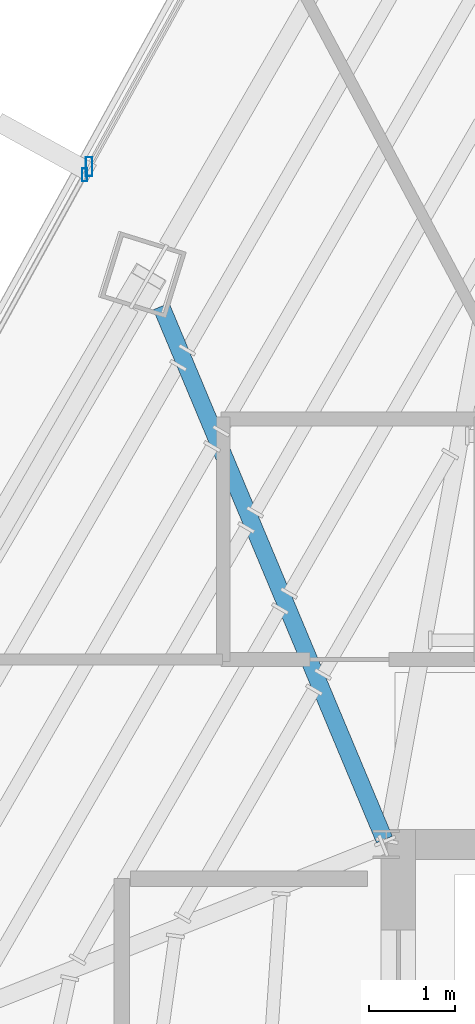
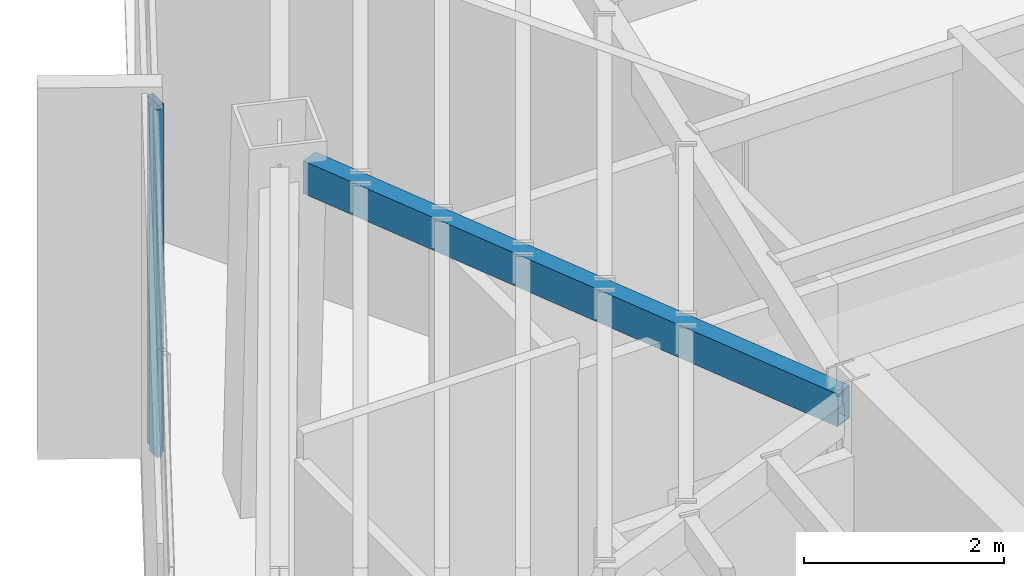
# One storey, part 15 of 37: 2 members, 1 beam, 2 elements without a shape of their own.
"""IFC4 building model written with IfcOpenShell, lengths in metres."""

from ifc_helpers import new_model, si_unit, direction, frame, origin, origin_2d, place, context, subcontext, project, spatial, hollow_rectangle, extrude, source, transform, mapped, material, material_profile, profile_set, type_object, type_shapes, element, aggregate, save


model = new_model("IFC4")

# Units and contexts
model_context = context("Model", 3, precision=1e-05, world=origin(), true_north=direction((0.0, 1.0)))
body_context = subcontext(model_context, "Body", "Model", "MODEL_VIEW")
ifc_project = project(units=[si_unit("LENGTHUNIT", "METRE"), si_unit("AREAUNIT", "SQUARE_METRE"), si_unit("VOLUMEUNIT", "CUBIC_METRE"), si_unit("PLANEANGLEUNIT", "RADIAN"), si_unit("MASSUNIT", "GRAM", prefix="KILO")], contexts=[model_context])

# Site, building, storey
site_placement = place(None, origin())
site = spatial("IfcSite", under=ifc_project, at=site_placement, CompositionType="ELEMENT")
building_placement = place(site_placement, origin())
building = spatial("IfcBuilding", under=site, at=building_placement, Name="Caelisora Broadcast Tower", CompositionType="ELEMENT")
storey_placement = place(building_placement, frame((0.0, 0.0, 225.35009765625)))
storey = spatial("IfcBuildingStorey", under=building, at=storey_placement, Name="L59", CompositionType="ELEMENT", Elevation=225.35009765625)

# Beam
ifc_material_1 = material(Name="Steel Grade 350 (AS/NZS 1163 C350L0)", Category="steel")
ifc_material_profile_1 = material_profile(ifc_material_1, hollow_rectangle(XDim=0.199951171875, YDim=0.39990234375, WallThickness=0.012451171875, at=origin_2d()), Name="Steel Grade 350 (AS/NZS 1163 C350L0)")
ifc_profile_set_1 = profile_set([ifc_material_profile_1], Name="Steel Grade 350 (AS/NZS 1163 C350L0)")
beam_type = type_object("IfcBeamType", Name="PG07", PredefinedType="BEAM", material=ifc_profile_set_1)
shared_shape_1 = source(origin(), body_context, "Body", "SweptSolid", [
    extrude(hollow_rectangle(XDim=0.199951171875, YDim=0.39990234375, WallThickness=0.012451171875, at=origin_2d()), origin(), (0.0, 0.0, 1.0), 6.7265625),
])
type_shapes(beam_type, [shared_shape_1])
beam_placement = place(storey_placement, frame((30.476806640625, 30.055419921875, 4.0498046875), z_axis=(-0.386099304774, 0.922457222235, 0.0), x_axis=(-0.922457222235, -0.386099304774, 0.0)))
element("IfcBeam", 1, at=beam_placement, inside=storey, type_object=beam_type, Name="L59 beam PG07", PredefinedType="BEAM", context=body_context, shape_type="MappedRepresentation", body=[
    mapped(shared_shape_1, transform((0.0, 0.0, 0.0), scale=1.0)),
])

# Curtain wall, member
ifc_material_2 = material(Name="Unitised Aluminium and Low-E Glass Curtain Wall", Category="glass")
curtain_wall_type_1 = type_object("IfcCurtainWallType", Name="CW-SKY", PredefinedType="NOTDEFINED", material=ifc_material_2)
curtain_wall_1_placement = place(storey_placement, origin())
curtain_wall_1 = element("IfcCurtainWall", 2, at=curtain_wall_1_placement, inside=storey, type_object=curtain_wall_type_1, Name="L59 curtain wall CW-SKY", PredefinedType="NOTDEFINED")
ifc_material_3 = material(Name="Aluminium 6063-T6 Anodised Terracotta Bronze", Category="aluminium")
ifc_material_profile_2 = material_profile(ifc_material_3, hollow_rectangle(XDim=0.074951171875, YDim=0.219970703125, WallThickness=0.00390625, at=origin_2d()), Name="Aluminium 6063-T6 Anodised Terracotta Bronze")
ifc_profile_set_2 = profile_set([ifc_material_profile_2], Name="Aluminium 6063-T6 Anodised Terracotta Bronze")
member_type_1 = type_object("IfcMemberType", Name="CWM-01", PredefinedType="MULLION", material=ifc_profile_set_2)
shared_shape_2 = source(origin(), body_context, "Body", "SweptSolid", [
    extrude(hollow_rectangle(XDim=0.074951171875, YDim=0.219970703125, WallThickness=0.00390625, at=origin_2d()), origin(), (0.0, 0.0, 1.0), 4.25),
])
type_shapes(member_type_1, [shared_shape_2])
member_1_placement = place(storey_placement, frame((27.041259765625, 37.8876953125, 0.0), z_axis=(0.0, 0.0, 1.0), x_axis=(1.0, 0.0, 0.0)))
member_1 = element("IfcMember", 3, at=member_1_placement, type_object=member_type_1, Name="L59-CW-B11 mullion #0", PredefinedType="MULLION", context=body_context, shape_type="MappedRepresentation", body=[
    mapped(shared_shape_2, transform((0.0, 0.0, 0.0), scale=1.0)),
])
aggregate(curtain_wall_1, [member_1])

ifc_material_4 = material(Name="Unitised Aluminium Insulated Shadow-Box Spandrel Curtain Wall", Category="aluminium")
curtain_wall_type_2 = type_object("IfcCurtainWallType", Name="CW-SP2", PredefinedType="NOTDEFINED", material=ifc_material_4)
curtain_wall_2_placement = place(storey_placement, origin())
curtain_wall_2 = element("IfcCurtainWall", 4, at=curtain_wall_2_placement, inside=storey, type_object=curtain_wall_type_2, Name="L59 curtain wall CW-SP2", PredefinedType="NOTDEFINED")
ifc_material_profile_3 = material_profile(ifc_material_3, hollow_rectangle(XDim=0.06005859375, YDim=0.14990234375, WallThickness=0.00341796875, at=origin_2d()), Name="Aluminium 6063-T6 Anodised Terracotta Bronze")
ifc_profile_set_3 = profile_set([ifc_material_profile_3], Name="Aluminium 6063-T6 Anodised Terracotta Bronze")
member_type_2 = type_object("IfcMemberType", Name="CWM-03", PredefinedType="MULLION", material=ifc_profile_set_3)
shared_shape_3 = source(origin(), body_context, "Body", "SweptSolid", [
    extrude(hollow_rectangle(XDim=0.06005859375, YDim=0.14990234375, WallThickness=0.00341796875, at=origin_2d()), origin(), (0.0, 0.0, 1.0), 4.25),
])
type_shapes(member_type_2, [shared_shape_3])
member_2_placement = place(storey_placement, frame((26.988037109375, 37.791259765625, 0.0), z_axis=(0.0, 0.0, 1.0), x_axis=(1.0, 0.0, 0.0)))
member_2 = element("IfcMember", 5, at=member_2_placement, type_object=member_type_2, Name="L59-CW-B10 mullion #3", PredefinedType="MULLION", context=body_context, shape_type="MappedRepresentation", body=[
    mapped(shared_shape_3, transform((0.0, 0.0, 0.0), scale=1.0)),
])
aggregate(curtain_wall_2, [member_2])

save(model, "model.ifc")
